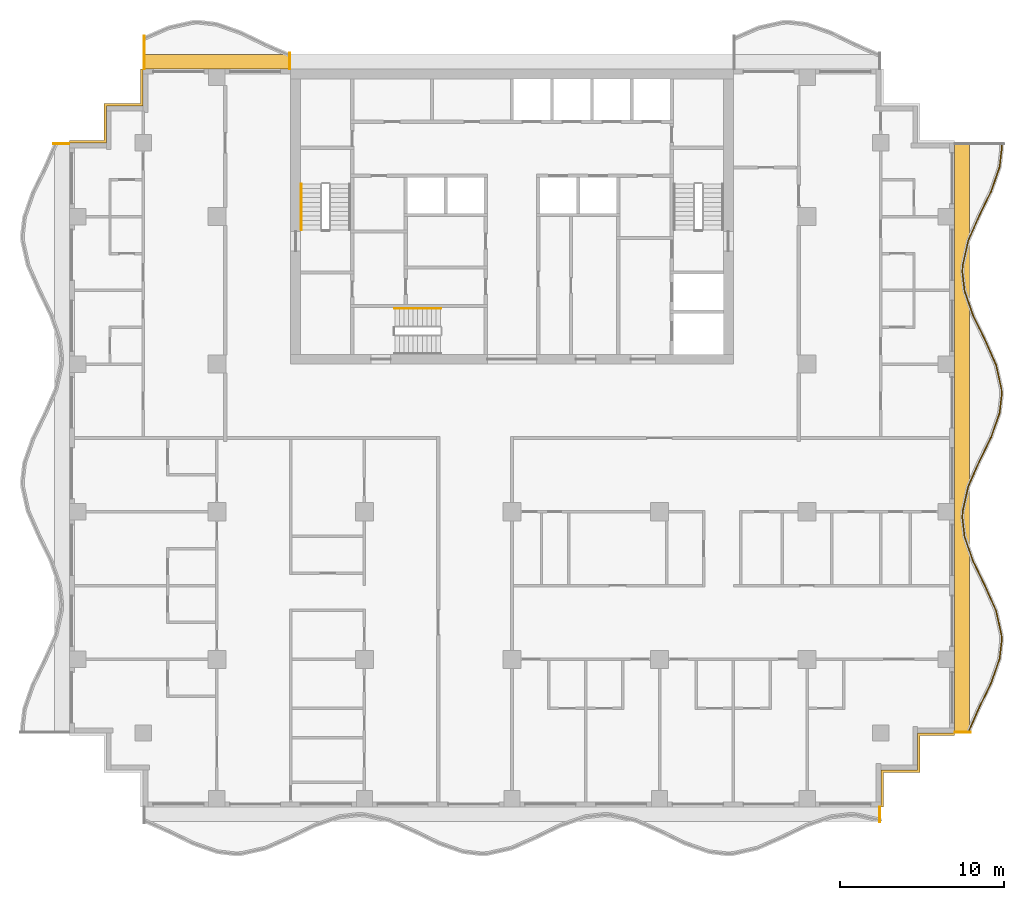
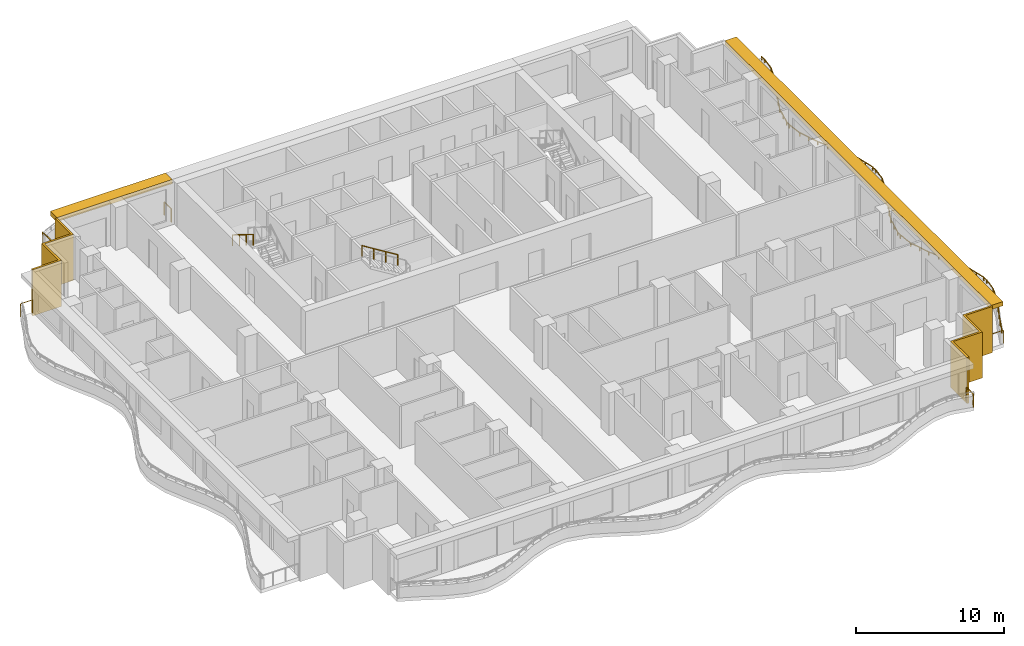
# One storey, part 11 of 12: 8 railings, 4 shading devices.
"""IFC4 building model written with IfcOpenShell, lengths in metres."""

from ifc_helpers import new_model, si_unit, direction, frame, origin, origin_2d, place, context, subcontext, project, spatial, polyline, rectangle, circle, outline, extrude, material, layer, layer_set, type_object, element, save


model = new_model("IFC4")

# Units and contexts
model_context = context("Model", 3, precision=1e-05, world=origin(), true_north=direction((0.0, 1.0)))
body_context = subcontext(model_context, "Body", "Model", "MODEL_VIEW")
ifc_project = project(units=[si_unit("LENGTHUNIT", "METRE"), si_unit("AREAUNIT", "SQUARE_METRE"), si_unit("VOLUMEUNIT", "CUBIC_METRE"), si_unit("PLANEANGLEUNIT", "RADIAN"), si_unit("MASSUNIT", "GRAM", prefix="KILO")], contexts=[model_context])

# Site, building, storey
site_placement = place(None, origin())
site = spatial("IfcSite", under=ifc_project, at=site_placement, CompositionType="ELEMENT")
building_placement = place(site_placement, origin())
building = spatial("IfcBuilding", under=site, at=building_placement, Name="Orbiselva Terraces", CompositionType="ELEMENT")
storey_placement = place(building_placement, frame((0.0, 0.0, 207.2)))
storey = spatial("IfcBuildingStorey", under=building, at=storey_placement, Name="L52", CompositionType="ELEMENT", Elevation=207.2)

# Railings
ifc_material_1 = material(Name="Stainless steel", Category="steel")
railing_type_1 = type_object("IfcRailingType", Name="CORE-HANDRAIL-900", PredefinedType="HANDRAIL", material=ifc_material_1)
railing_1_placement = place(storey_placement, frame((-12.85, 15.5, 2.072727)))
element("IfcRailing", 1, at=railing_1_placement, inside=storey, type_object=railing_type_1, Name="L52 S1 stair handrail 2", PredefinedType="HANDRAIL", context=body_context, shape_type="SweptSolid", body=[
    extrude(circle(Radius=0.024, at=origin_2d()), frame((0.0, 0.0, 0.876), z_axis=(0.0, -0.851088519012, 0.52502222125), x_axis=(1.0, 0.0, 0.0)), (0.0, 0.0, 1.0), 3.289905),
    extrude(circle(Radius=0.021, at=origin_2d()), origin(), (0.0, 0.0, 1.0), 0.852),
    extrude(circle(Radius=0.021, at=origin_2d()), frame((0.0, -0.933333, 0.575758)), (0.0, 0.0, 1.0), 0.852),
    extrude(circle(Radius=0.021, at=origin_2d()), frame((0.0, -1.866667, 1.151515)), (0.0, 0.0, 1.0), 0.852),
    extrude(circle(Radius=0.021, at=origin_2d()), frame((0.0, -2.8, 1.727273)), (0.0, 0.0, 1.0), 0.852),
])
railing_2_placement = place(storey_placement, frame((-4.35, 7.9, 2.072727)))
element("IfcRailing", 2, at=railing_2_placement, inside=storey, type_object=railing_type_1, Name="L52 S3 stair handrail 2", PredefinedType="HANDRAIL", context=body_context, shape_type="SweptSolid", body=[
    extrude(circle(Radius=0.024, at=origin_2d()), frame((0.0, 0.0, 0.876), z_axis=(-0.851088519012, 0.0, 0.52502222125), x_axis=(0.0, -1.0, 0.0)), (0.0, 0.0, 1.0), 3.289905),
    extrude(circle(Radius=0.021, at=origin_2d()), origin(), (0.0, 0.0, 1.0), 0.852),
    extrude(circle(Radius=0.021, at=origin_2d()), frame((-0.933333, 0.0, 0.575758)), (0.0, 0.0, 1.0), 0.852),
    extrude(circle(Radius=0.021, at=origin_2d()), frame((-1.866667, 0.0, 1.151515)), (0.0, 0.0, 1.0), 0.852),
    extrude(circle(Radius=0.021, at=origin_2d()), frame((-2.8, 0.0, 1.727273)), (0.0, 0.0, 1.0), 0.852),
])
ifc_material_2 = material(Name="Bonded two-ply safety glass balustrade, stainless steel posts", Category="steel")
railing_type_2 = type_object("IfcRailingType", Name="ENV-BALUSTRADE-1200", PredefinedType="BALUSTRADE", material=ifc_material_2)
railing_3_placement = place(storey_placement, frame((27.83708, -17.949606, 0.9)))
element("IfcRailing", 3, at=railing_3_placement, inside=storey, type_object=railing_type_2, Name="Balcony balustrade L52 E", PredefinedType="BALUSTRADE", context=body_context, shape_type="SweptSolid", body=[
    extrude(outline(polyline([(0.028868, 0.0), (0.014434, 0.025), (-0.014434, 0.025), (-0.028868, 0.0), (-0.014434, -0.025), (0.014434, -0.025), (0.028868, 0.0)])), frame((0.0, 0.0, 0.275), z_axis=(0.403151175476, 0.915133394491, 0.0), x_axis=(-0.915133394491, 0.403151175476, 0.0)), (0.0, 0.0, 1.0), 1.641563),
    extrude(outline(polyline([(0.028868, 0.0), (0.014434, 0.025), (-0.014434, 0.025), (-0.028868, 0.0), (-0.014434, -0.025), (0.014434, -0.025), (0.028868, 0.0)])), frame((0.661798, 1.502249, 0.275), z_axis=(0.438811978768, 0.89857890432, 0.0), x_axis=(-0.89857890432, 0.438811978768, 0.0)), (0.0, 0.0, 1.0), 1.66438),
    extrude(outline(polyline([(0.028868, 0.0), (0.014434, 0.025), (-0.014434, 0.025), (-0.028868, 0.0), (-0.014434, -0.025), (0.014434, -0.025), (0.028868, 0.0)])), frame((1.392148, 2.997826, 0.275), z_axis=(0.330024754707, 0.943972277814, 0.0), x_axis=(-0.943972277814, 0.330024754707, 0.0)), (0.0, 0.0, 1.0), 1.567807),
    extrude(outline(polyline([(0.028868, 0.0), (0.014434, 0.025), (-0.014434, 0.025), (-0.028868, 0.0), (-0.014434, -0.025), (0.014434, -0.025), (0.028868, 0.0)])), frame((1.909563, 4.477792, 0.275), z_axis=(0.115481264762, 0.993309658409, 0.0), x_axis=(-0.993309658409, 0.115481264762, 0.0)), (0.0, 0.0, 1.0), 1.10902),
    extrude(outline(polyline([(0.028868, 0.0), (0.014434, 0.025), (-0.014434, 0.025), (-0.028868, 0.0), (-0.014434, -0.025), (0.014434, -0.025), (0.028868, 0.0)])), frame((2.037634, 5.579392, 0.275), z_axis=(-0.039364150694, 0.999224931454, 0.0), x_axis=(-0.999224931454, -0.039364150694, 0.0)), (0.0, 0.0, 1.0), 0.354206),
    extrude(outline(polyline([(0.028868, 0.0), (0.014434, 0.025), (-0.014434, 0.025), (-0.028868, 0.0), (-0.014434, -0.025), (0.014434, -0.025), (0.028868, 0.0)])), frame((2.023691, 5.933323, 0.275), z_axis=(-0.219015740235, 0.975721325753, 0.0), x_axis=(-0.975721325753, -0.219015740235, 0.0)), (0.0, 0.0, 1.0), 1.513782),
    extrude(outline(polyline([(0.028868, 0.0), (0.014434, 0.025), (-0.014434, 0.025), (-0.028868, 0.0), (-0.014434, -0.025), (0.014434, -0.025), (0.028868, 0.0)])), frame((1.692149, 7.410352, 0.275), z_axis=(-0.403151245402, 0.915133363686, 0.0), x_axis=(-0.915133363686, -0.403151245402, 0.0)), (0.0, 0.0, 1.0), 1.624475),
    extrude(outline(polyline([(0.028868, 0.0), (0.014434, 0.025), (-0.014434, 0.025), (-0.028868, 0.0), (-0.014434, -0.025), (0.014434, -0.025), (0.028868, 0.0)])), frame((1.03724, 8.896963, 0.275), z_axis=(-0.438812048596, 0.898578870221, 0.0), x_axis=(-0.898578870221, -0.438812048596, 0.0)), (0.0, 0.0, 1.0), 1.674225),
    extrude(outline(polyline([(0.028868, 0.0), (0.014434, 0.025), (-0.014434, 0.025), (-0.028868, 0.0), (-0.014434, -0.025), (0.014434, -0.025), (0.028868, 0.0)])), frame((0.30257, 10.401386, 0.275), z_axis=(-0.330024597479, 0.943972332783, 0.0), x_axis=(-0.943972332783, -0.330024597479, 0.0)), (0.0, 0.0, 1.0), 1.610253),
    extrude(outline(polyline([(0.028868, 0.0), (0.014434, 0.025), (-0.014434, 0.025), (-0.028868, 0.0), (-0.014434, -0.025), (0.014434, -0.025), (0.028868, 0.0)])), frame((-0.228853, 11.92142, 0.275), z_axis=(-0.115482182324, 0.993309551734, 0.0), x_axis=(-0.993309551734, -0.115482182324, 0.0)), (0.0, 0.0, 1.0), 1.156135),
    extrude(outline(polyline([(0.028868, 0.0), (0.014434, 0.025), (-0.014434, 0.025), (-0.028868, 0.0), (-0.014434, -0.025), (0.014434, -0.025), (0.028868, 0.0)])), frame((-0.362366, 13.06982, 0.275), z_axis=(0.03936915532, 0.999224734286, 0.0), x_axis=(-0.999224734286, 0.03936915532, 0.0)), (0.0, 0.0, 1.0), 0.396376),
    extrude(outline(polyline([(0.028868, 0.0), (0.014434, 0.025), (-0.014434, 0.025), (-0.028868, 0.0), (-0.014434, -0.025), (0.014434, -0.025), (0.028868, 0.0)])), frame((-0.346761, 13.465889, 0.275), z_axis=(0.219015500924, 0.97572137947, 0.0), x_axis=(-0.97572137947, 0.219015500924, 0.0)), (0.0, 0.0, 1.0), 1.560867),
    extrude(outline(polyline([(0.028868, 0.0), (0.014434, 0.025), (-0.014434, 0.025), (-0.028868, 0.0), (-0.014434, -0.025), (0.014434, -0.025), (0.028868, 0.0)])), frame((-0.004907, 14.98886, 0.275), z_axis=(0.403150874148, 0.915133527237, 0.0), x_axis=(-0.915133527237, 0.403150874148, 0.0)), (0.0, 0.0, 1.0), 1.653736),
    extrude(outline(polyline([(0.028868, 0.0), (0.014434, 0.025), (-0.014434, 0.025), (-0.028868, 0.0), (-0.014434, -0.025), (0.014434, -0.025), (0.028868, 0.0)])), frame((0.661798, 16.502249, 0.275), z_axis=(0.438811978768, 0.89857890432, 0.0), x_axis=(-0.89857890432, 0.438811978768, 0.0)), (0.0, 0.0, 1.0), 1.66438),
    extrude(outline(polyline([(0.028868, 0.0), (0.014434, 0.025), (-0.014434, 0.025), (-0.028868, 0.0), (-0.014434, -0.025), (0.014434, -0.025), (0.028868, 0.0)])), frame((1.392148, 17.997826, 0.275), z_axis=(0.330024754707, 0.943972277814, 0.0), x_axis=(-0.943972277814, 0.330024754707, 0.0)), (0.0, 0.0, 1.0), 1.567807),
    extrude(outline(polyline([(0.028868, 0.0), (0.014434, 0.025), (-0.014434, 0.025), (-0.028868, 0.0), (-0.014434, -0.025), (0.014434, -0.025), (0.028868, 0.0)])), frame((1.909563, 19.477792, 0.275), z_axis=(0.115481264762, 0.993309658409, 0.0), x_axis=(-0.993309658409, 0.115481264762, 0.0)), (0.0, 0.0, 1.0), 1.10902),
    extrude(outline(polyline([(0.028868, 0.0), (0.014434, 0.025), (-0.014434, 0.025), (-0.028868, 0.0), (-0.014434, -0.025), (0.014434, -0.025), (0.028868, 0.0)])), frame((2.037634, 20.579392, 0.275), z_axis=(-0.039364150694, 0.999224931454, 0.0), x_axis=(-0.999224931454, -0.039364150694, 0.0)), (0.0, 0.0, 1.0), 0.354206),
    extrude(outline(polyline([(0.028868, 0.0), (0.014434, 0.025), (-0.014434, 0.025), (-0.028868, 0.0), (-0.014434, -0.025), (0.014434, -0.025), (0.028868, 0.0)])), frame((2.023691, 20.933323, 0.275), z_axis=(-0.219015740235, 0.975721325753, 0.0), x_axis=(-0.975721325753, -0.219015740235, 0.0)), (0.0, 0.0, 1.0), 1.513782),
    extrude(outline(polyline([(0.028868, 0.0), (0.014434, 0.025), (-0.014434, 0.025), (-0.028868, 0.0), (-0.014434, -0.025), (0.014434, -0.025), (0.028868, 0.0)])), frame((1.692149, 22.410352, 0.275), z_axis=(-0.403151245402, 0.915133363686, 0.0), x_axis=(-0.915133363686, -0.403151245402, 0.0)), (0.0, 0.0, 1.0), 1.624475),
    extrude(outline(polyline([(0.028868, 0.0), (0.014434, 0.025), (-0.014434, 0.025), (-0.028868, 0.0), (-0.014434, -0.025), (0.014434, -0.025), (0.028868, 0.0)])), frame((1.03724, 23.896963, 0.275), z_axis=(-0.438812048596, 0.898578870221, 0.0), x_axis=(-0.898578870221, -0.438812048596, 0.0)), (0.0, 0.0, 1.0), 1.674225),
    extrude(outline(polyline([(0.028868, 0.0), (0.014434, 0.025), (-0.014434, 0.025), (-0.028868, 0.0), (-0.014434, -0.025), (0.014434, -0.025), (0.028868, 0.0)])), frame((0.30257, 25.401386, 0.275), z_axis=(-0.330024597479, 0.943972332783, 0.0), x_axis=(-0.943972332783, -0.330024597479, 0.0)), (0.0, 0.0, 1.0), 1.610253),
    extrude(outline(polyline([(0.028868, 0.0), (0.014434, 0.025), (-0.014434, 0.025), (-0.028868, 0.0), (-0.014434, -0.025), (0.014434, -0.025), (0.028868, 0.0)])), frame((-0.228853, 26.92142, 0.275), z_axis=(-0.115482182324, 0.993309551734, 0.0), x_axis=(-0.993309551734, -0.115482182324, 0.0)), (0.0, 0.0, 1.0), 1.156135),
    extrude(outline(polyline([(0.028868, 0.0), (0.014434, 0.025), (-0.014434, 0.025), (-0.028868, 0.0), (-0.014434, -0.025), (0.014434, -0.025), (0.028868, 0.0)])), frame((-0.362366, 28.06982, 0.275), z_axis=(0.03936915532, 0.999224734286, 0.0), x_axis=(-0.999224734286, 0.03936915532, 0.0)), (0.0, 0.0, 1.0), 0.396376),
    extrude(outline(polyline([(0.028868, 0.0), (0.014434, 0.025), (-0.014434, 0.025), (-0.028868, 0.0), (-0.014434, -0.025), (0.014434, -0.025), (0.028868, 0.0)])), frame((-0.346761, 28.465889, 0.275), z_axis=(0.219015500924, 0.97572137947, 0.0), x_axis=(-0.97572137947, 0.219015500924, 0.0)), (0.0, 0.0, 1.0), 1.560867),
    extrude(outline(polyline([(0.028868, 0.0), (0.014434, 0.025), (-0.014434, 0.025), (-0.028868, 0.0), (-0.014434, -0.025), (0.014434, -0.025), (0.028868, 0.0)])), frame((-0.004907, 29.98886, 0.275), z_axis=(0.403150874148, 0.915133527237, 0.0), x_axis=(-0.915133527237, 0.403150874148, 0.0)), (0.0, 0.0, 1.0), 1.653736),
    extrude(outline(polyline([(0.028868, 0.0), (0.014434, 0.025), (-0.014434, 0.025), (-0.028868, 0.0), (-0.014434, -0.025), (0.014434, -0.025), (0.028868, 0.0)])), frame((0.661798, 31.502249, 0.275), z_axis=(0.438811978768, 0.89857890432, 0.0), x_axis=(-0.89857890432, 0.438811978768, 0.0)), (0.0, 0.0, 1.0), 1.66438),
    extrude(outline(polyline([(0.028868, 0.0), (0.014434, 0.025), (-0.014434, 0.025), (-0.028868, 0.0), (-0.014434, -0.025), (0.014434, -0.025), (0.028868, 0.0)])), frame((1.392148, 32.997826, 0.275), z_axis=(0.330024754707, 0.943972277814, 0.0), x_axis=(-0.943972277814, 0.330024754707, 0.0)), (0.0, 0.0, 1.0), 1.567807),
    extrude(outline(polyline([(0.028868, 0.0), (0.014434, 0.025), (-0.014434, 0.025), (-0.028868, 0.0), (-0.014434, -0.025), (0.014434, -0.025), (0.028868, 0.0)])), frame((1.909563, 34.477792, 0.275), z_axis=(0.115481264762, 0.993309658409, 0.0), x_axis=(-0.993309658409, 0.115481264762, 0.0)), (0.0, 0.0, 1.0), 1.10902),
    extrude(outline(polyline([(0.028868, 0.0), (0.014434, 0.025), (-0.014434, 0.025), (-0.028868, 0.0), (-0.014434, -0.025), (0.014434, -0.025), (0.028868, 0.0)])), frame((2.037634, 35.579392, 0.275), z_axis=(-0.039365236599, 0.999224888675, 0.0), x_axis=(-0.999224888675, -0.039365236599, 0.0)), (0.0, 0.0, 1.0), 0.365576),
    extrude(rectangle(XDim=0.05, YDim=0.05, at=origin_2d()), origin(), (0.0, 0.0, 1.0), 0.25),
    extrude(rectangle(XDim=0.05, YDim=0.05, at=origin_2d()), frame((0.330899, 0.751124, 0.0)), (0.0, 0.0, 1.0), 0.25),
    extrude(rectangle(XDim=0.05, YDim=0.05, at=origin_2d()), frame((0.661798, 1.502249, 0.0)), (0.0, 0.0, 1.0), 0.25),
    extrude(rectangle(XDim=0.05, YDim=0.05, at=origin_2d()), frame((1.026973, 2.250037, 0.0)), (0.0, 0.0, 1.0), 0.25),
    extrude(rectangle(XDim=0.05, YDim=0.05, at=origin_2d()), frame((1.392148, 2.997826, 0.0)), (0.0, 0.0, 1.0), 0.25),
    extrude(rectangle(XDim=0.05, YDim=0.05, at=origin_2d()), frame((1.650855, 3.737809, 0.0)), (0.0, 0.0, 1.0), 0.25),
    extrude(rectangle(XDim=0.05, YDim=0.05, at=origin_2d()), frame((1.909563, 4.477792, 0.0)), (0.0, 0.0, 1.0), 0.25),
    extrude(rectangle(XDim=0.05, YDim=0.05, at=origin_2d()), frame((2.037634, 5.579392, 0.0)), (0.0, 0.0, 1.0), 0.25),
    extrude(rectangle(XDim=0.05, YDim=0.05, at=origin_2d()), frame((2.023691, 5.933323, 0.0)), (0.0, 0.0, 1.0), 0.25),
    extrude(rectangle(XDim=0.05, YDim=0.05, at=origin_2d()), frame((1.85792, 6.671838, 0.0)), (0.0, 0.0, 1.0), 0.25),
    extrude(rectangle(XDim=0.05, YDim=0.05, at=origin_2d()), frame((1.692149, 7.410352, 0.0)), (0.0, 0.0, 1.0), 0.25),
    extrude(rectangle(XDim=0.05, YDim=0.05, at=origin_2d()), frame((1.364695, 8.153658, 0.0)), (0.0, 0.0, 1.0), 0.25),
    extrude(rectangle(XDim=0.05, YDim=0.05, at=origin_2d()), frame((1.03724, 8.896963, 0.0)), (0.0, 0.0, 1.0), 0.25),
    extrude(rectangle(XDim=0.05, YDim=0.05, at=origin_2d()), frame((0.669905, 9.649174, 0.0)), (0.0, 0.0, 1.0), 0.25),
    extrude(rectangle(XDim=0.05, YDim=0.05, at=origin_2d()), frame((0.30257, 10.401386, 0.0)), (0.0, 0.0, 1.0), 0.25),
    extrude(rectangle(XDim=0.05, YDim=0.05, at=origin_2d()), frame((0.036858, 11.161403, 0.0)), (0.0, 0.0, 1.0), 0.25),
    extrude(rectangle(XDim=0.05, YDim=0.05, at=origin_2d()), frame((-0.228853, 11.92142, 0.0)), (0.0, 0.0, 1.0), 0.25),
    extrude(rectangle(XDim=0.05, YDim=0.05, at=origin_2d()), frame((-0.362366, 13.06982, 0.0)), (0.0, 0.0, 1.0), 0.25),
    extrude(rectangle(XDim=0.05, YDim=0.05, at=origin_2d()), frame((-0.346761, 13.465889, 0.0)), (0.0, 0.0, 1.0), 0.25),
    extrude(rectangle(XDim=0.05, YDim=0.05, at=origin_2d()), frame((-0.175834, 14.227374, 0.0)), (0.0, 0.0, 1.0), 0.25),
    extrude(rectangle(XDim=0.05, YDim=0.05, at=origin_2d()), frame((-0.004907, 14.98886, 0.0)), (0.0, 0.0, 1.0), 0.25),
    extrude(rectangle(XDim=0.05, YDim=0.05, at=origin_2d()), frame((0.328446, 15.745554, 0.0)), (0.0, 0.0, 1.0), 0.25),
    extrude(rectangle(XDim=0.05, YDim=0.05, at=origin_2d()), frame((0.661798, 16.502249, 0.0)), (0.0, 0.0, 1.0), 0.25),
    extrude(rectangle(XDim=0.05, YDim=0.05, at=origin_2d()), frame((1.026973, 17.250037, 0.0)), (0.0, 0.0, 1.0), 0.25),
    extrude(rectangle(XDim=0.05, YDim=0.05, at=origin_2d()), frame((1.392148, 17.997826, 0.0)), (0.0, 0.0, 1.0), 0.25),
    extrude(rectangle(XDim=0.05, YDim=0.05, at=origin_2d()), frame((1.650855, 18.737809, 0.0)), (0.0, 0.0, 1.0), 0.25),
    extrude(rectangle(XDim=0.05, YDim=0.05, at=origin_2d()), frame((1.909563, 19.477792, 0.0)), (0.0, 0.0, 1.0), 0.25),
    extrude(rectangle(XDim=0.05, YDim=0.05, at=origin_2d()), frame((2.037634, 20.579392, 0.0)), (0.0, 0.0, 1.0), 0.25),
    extrude(rectangle(XDim=0.05, YDim=0.05, at=origin_2d()), frame((2.023691, 20.933323, 0.0)), (0.0, 0.0, 1.0), 0.25),
    extrude(rectangle(XDim=0.05, YDim=0.05, at=origin_2d()), frame((1.85792, 21.671838, 0.0)), (0.0, 0.0, 1.0), 0.25),
    extrude(rectangle(XDim=0.05, YDim=0.05, at=origin_2d()), frame((1.692149, 22.410352, 0.0)), (0.0, 0.0, 1.0), 0.25),
    extrude(rectangle(XDim=0.05, YDim=0.05, at=origin_2d()), frame((1.364695, 23.153658, 0.0)), (0.0, 0.0, 1.0), 0.25),
    extrude(rectangle(XDim=0.05, YDim=0.05, at=origin_2d()), frame((1.03724, 23.896963, 0.0)), (0.0, 0.0, 1.0), 0.25),
    extrude(rectangle(XDim=0.05, YDim=0.05, at=origin_2d()), frame((0.669905, 24.649174, 0.0)), (0.0, 0.0, 1.0), 0.25),
    extrude(rectangle(XDim=0.05, YDim=0.05, at=origin_2d()), frame((0.30257, 25.401386, 0.0)), (0.0, 0.0, 1.0), 0.25),
    extrude(rectangle(XDim=0.05, YDim=0.05, at=origin_2d()), frame((0.036858, 26.161403, 0.0)), (0.0, 0.0, 1.0), 0.25),
    extrude(rectangle(XDim=0.05, YDim=0.05, at=origin_2d()), frame((-0.228853, 26.92142, 0.0)), (0.0, 0.0, 1.0), 0.25),
    extrude(rectangle(XDim=0.05, YDim=0.05, at=origin_2d()), frame((-0.362366, 28.06982, 0.0)), (0.0, 0.0, 1.0), 0.25),
    extrude(rectangle(XDim=0.05, YDim=0.05, at=origin_2d()), frame((-0.346761, 28.465889, 0.0)), (0.0, 0.0, 1.0), 0.25),
    extrude(rectangle(XDim=0.05, YDim=0.05, at=origin_2d()), frame((-0.175834, 29.227374, 0.0)), (0.0, 0.0, 1.0), 0.25),
    extrude(rectangle(XDim=0.05, YDim=0.05, at=origin_2d()), frame((-0.004907, 29.98886, 0.0)), (0.0, 0.0, 1.0), 0.25),
    extrude(rectangle(XDim=0.05, YDim=0.05, at=origin_2d()), frame((0.328446, 30.745554, 0.0)), (0.0, 0.0, 1.0), 0.25),
    extrude(rectangle(XDim=0.05, YDim=0.05, at=origin_2d()), frame((0.661798, 31.502249, 0.0)), (0.0, 0.0, 1.0), 0.25),
    extrude(rectangle(XDim=0.05, YDim=0.05, at=origin_2d()), frame((1.026973, 32.250038, 0.0)), (0.0, 0.0, 1.0), 0.25),
    extrude(rectangle(XDim=0.05, YDim=0.05, at=origin_2d()), frame((1.392148, 32.997826, 0.0)), (0.0, 0.0, 1.0), 0.25),
    extrude(rectangle(XDim=0.05, YDim=0.05, at=origin_2d()), frame((1.650855, 33.737809, 0.0)), (0.0, 0.0, 1.0), 0.25),
    extrude(rectangle(XDim=0.05, YDim=0.05, at=origin_2d()), frame((1.909563, 34.477792, 0.0)), (0.0, 0.0, 1.0), 0.25),
    extrude(rectangle(XDim=0.05, YDim=0.05, at=origin_2d()), frame((2.037634, 35.579392, 0.0)), (0.0, 0.0, 1.0), 0.25),
    extrude(rectangle(XDim=0.05, YDim=0.05, at=origin_2d()), frame((2.023243, 35.944685, 0.0)), (0.0, 0.0, 1.0), 0.25),
])
ifc_material_3 = material(Name="Stainless steel rail and posts", Category="steel")
railing_type_3 = type_object("IfcRailingType", Name="ENV-GUARD-1105", PredefinedType="BALUSTRADE", material=ifc_material_3)
railing_4_placement = place(storey_placement, frame((22.44, -23.430416, 0.0)))
element("IfcRailing", 4, at=railing_4_placement, inside=storey, type_object=railing_type_3, Name="Balcony end guard L52 S", PredefinedType="BALUSTRADE", context=body_context, shape_type="SweptSolid", body=[
    extrude(outline(polyline([(0.028868, 0.0), (0.014434, 0.025), (-0.014434, 0.025), (-0.028868, 0.0), (-0.014434, -0.025), (0.014434, -0.025), (0.028868, 0.0)])), frame((0.0, 0.0, 1.08), z_axis=(0.0, 1.0, 0.0), x_axis=(-1.0, 0.0, 0.0)), (0.0, 0.0, 1.0), 0.905416),
    extrude(rectangle(XDim=0.05, YDim=0.05, at=origin_2d()), origin(), (0.0, 0.0, 1.0), 1.055),
    extrude(rectangle(XDim=0.05, YDim=0.05, at=origin_2d()), frame((0.0, 0.905416, 0.0)), (0.0, 0.0, 1.0), 1.055),
])
railing_5_placement = place(storey_placement, frame((27.973063, -17.94, 0.0)))
element("IfcRailing", 5, at=railing_5_placement, inside=storey, type_object=railing_type_3, Name="Balcony end guard L52 E", PredefinedType="BALUSTRADE", context=body_context, shape_type="SweptSolid", body=[
    extrude(outline(polyline([(0.028868, 0.0), (0.014434, 0.025), (-0.014434, 0.025), (-0.028868, 0.0), (-0.014434, -0.025), (0.014434, -0.025), (0.028868, 0.0)])), frame((0.0, 0.0, 1.08), z_axis=(-1.0, 0.0, 0.0), x_axis=(0.0, -1.0, 0.0)), (0.0, 0.0, 1.0), 0.948063),
    extrude(rectangle(XDim=0.05, YDim=0.05, at=origin_2d()), origin(), (0.0, 0.0, 1.0), 1.055),
    extrude(rectangle(XDim=0.05, YDim=0.05, at=origin_2d()), frame((-0.948063, 0.0, 0.0)), (0.0, 0.0, 1.0), 1.055),
])
railing_6_placement = place(storey_placement, frame((-13.56, 23.473063, 0.0)))
element("IfcRailing", 6, at=railing_6_placement, inside=storey, type_object=railing_type_3, Name="Balcony end guard L52 NW", PredefinedType="BALUSTRADE", context=body_context, shape_type="SweptSolid", body=[
    extrude(outline(polyline([(0.028868, 0.0), (0.014434, 0.025), (-0.014434, 0.025), (-0.028868, 0.0), (-0.014434, -0.025), (0.014434, -0.025), (0.028868, 0.0)])), frame((0.0, 0.0, 1.08), z_axis=(0.0, -1.0, 0.0), x_axis=(1.0, 0.0, 0.0)), (0.0, 0.0, 1.0), 0.948063),
    extrude(rectangle(XDim=0.05, YDim=0.05, at=origin_2d()), origin(), (0.0, 0.0, 1.0), 1.055),
    extrude(rectangle(XDim=0.05, YDim=0.05, at=origin_2d()), frame((0.0, -0.948063, 0.0)), (0.0, 0.0, 1.0), 1.055),
])
railing_7_placement = place(storey_placement, frame((-22.44, 24.517447, 0.0)))
element("IfcRailing", 7, at=railing_7_placement, inside=storey, type_object=railing_type_3, Name="Balcony end guard L52 NW", PredefinedType="BALUSTRADE", context=body_context, shape_type="SweptSolid", body=[
    extrude(outline(polyline([(0.028868, 0.0), (0.014434, 0.025), (-0.014434, 0.025), (-0.028868, 0.0), (-0.014434, -0.025), (0.014434, -0.025), (0.028868, 0.0)])), frame((0.0, 0.0, 1.08), z_axis=(0.0, -1.0, 0.0), x_axis=(1.0, 0.0, 0.0)), (0.0, 0.0, 1.0), 1.992447),
    extrude(rectangle(XDim=0.05, YDim=0.05, at=origin_2d()), origin(), (0.0, 0.0, 1.0), 1.055),
    extrude(rectangle(XDim=0.05, YDim=0.05, at=origin_2d()), frame((0.0, -0.996224, 0.0)), (0.0, 0.0, 1.0), 1.055),
    extrude(rectangle(XDim=0.05, YDim=0.05, at=origin_2d()), frame((0.0, -1.992447, 0.0)), (0.0, 0.0, 1.0), 1.055),
])
railing_8_placement = place(storey_placement, frame((-27.973063, 17.94, 0.0)))
element("IfcRailing", 8, at=railing_8_placement, inside=storey, type_object=railing_type_3, Name="Balcony end guard L52 W", PredefinedType="BALUSTRADE", context=body_context, shape_type="SweptSolid", body=[
    extrude(outline(polyline([(0.028868, 0.0), (0.014434, 0.025), (-0.014434, 0.025), (-0.028868, 0.0), (-0.014434, -0.025), (0.014434, -0.025), (0.028868, 0.0)])), frame((0.0, 0.0, 1.08), z_axis=(1.0, 0.0, 0.0), x_axis=(0.0, 1.0, 0.0)), (0.0, 0.0, 1.0), 0.948063),
    extrude(rectangle(XDim=0.05, YDim=0.05, at=origin_2d()), origin(), (0.0, 0.0, 1.0), 1.055),
    extrude(rectangle(XDim=0.05, YDim=0.05, at=origin_2d()), frame((0.948063, 0.0, 0.0)), (0.0, 0.0, 1.0), 1.055),
])

# Shading devices
ifc_material_4 = material(Name="Terracotta louvre screen", Category="masonry")
ifc_layer_1 = layer(ifc_material_4, 0.15)
ifc_layer_set_1 = layer_set([ifc_layer_1], Name="Terracotta louvre screen")
shading_device_type_1 = type_object("IfcShadingDeviceType", Name="ENV-SCREEN-150", PredefinedType="USERDEFINED", material=ifc_layer_set_1)
shading_device_1_placement = place(storey_placement, frame((0.0, 0.0, -0.3)))
element("IfcShadingDevice", 9, at=shading_device_1_placement, inside=storey, type_object=shading_device_type_1, Name="Louvre screen L52 NW", ObjectType="SCREEN", PredefinedType="USERDEFINED", context=body_context, shape_type="SweptSolid", body=[
    extrude(outline(polyline([(-22.65, 22.5), (-22.65, 20.4), (-24.9, 20.4), (-24.9, 18.15), (-27.0, 18.15), (-27.0, 18.0), (-24.75, 18.0), (-24.75, 20.25), (-22.5, 20.25), (-22.5, 22.5), (-22.65, 22.5)])), origin(), (0.0, 0.0, 1.0), 3.8),
])
shading_device_2_placement = place(storey_placement, frame((0.0, 0.0, -0.3)))
element("IfcShadingDevice", 10, at=shading_device_2_placement, inside=storey, type_object=shading_device_type_1, Name="Louvre screen L52 SE", ObjectType="SCREEN", PredefinedType="USERDEFINED", context=body_context, shape_type="SweptSolid", body=[
    extrude(outline(polyline([(22.65, -22.5), (22.65, -20.4), (24.9, -20.4), (24.9, -18.15), (27.0, -18.15), (27.0, -18.0), (24.75, -18.0), (24.75, -20.25), (22.5, -20.25), (22.5, -22.5), (22.65, -22.5)])), origin(), (0.0, 0.0, 1.0), 3.8),
])
ifc_material_5 = material(Name="Terracotta baguette sunshade", Category="masonry")
ifc_layer_2 = layer(ifc_material_5, 0.35)
ifc_layer_set_2 = layer_set([ifc_layer_2], Name="Terracotta baguette sunshade")
shading_device_type_2 = type_object("IfcShadingDeviceType", Name="ENV-SUNSHADE-900x350", PredefinedType="USERDEFINED", material=ifc_layer_set_2)
shading_device_3_placement = place(storey_placement, frame((0.0, 0.0, 3.15)))
element("IfcShadingDevice", 11, at=shading_device_3_placement, inside=storey, type_object=shading_device_type_2, Name="Sunshade band L52 E", ObjectType="SUNSHADE", PredefinedType="USERDEFINED", context=body_context, shape_type="SweptSolid", body=[
    extrude(outline(polyline([(27.9, -18.0), (27.9, 18.0), (27.0, 18.0), (27.0, -18.0), (27.9, -18.0)])), origin(), (0.0, 0.0, 1.0), 0.35),
])
shading_device_4_placement = place(storey_placement, frame((0.0, 0.0, 3.15)))
element("IfcShadingDevice", 12, at=shading_device_4_placement, inside=storey, type_object=shading_device_type_2, Name="Sunshade band L52 NW", ObjectType="SUNSHADE", PredefinedType="USERDEFINED", context=body_context, shape_type="SweptSolid", body=[
    extrude(outline(polyline([(-13.5, 23.4), (-22.5, 23.4), (-22.5, 22.5), (-13.5, 22.5), (-13.5, 23.4)])), origin(), (0.0, 0.0, 1.0), 0.35),
])

save(model, "model.ifc")
